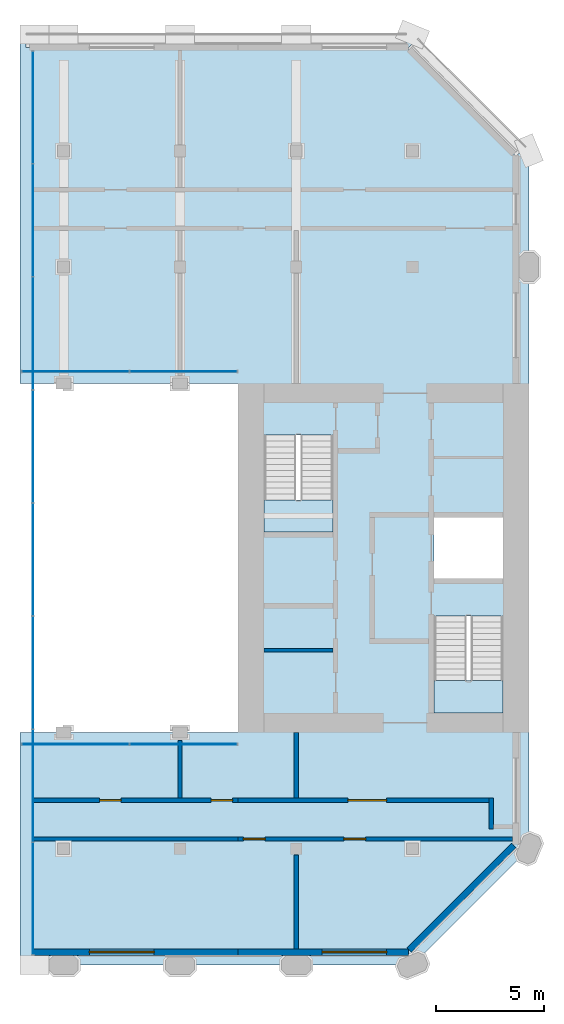
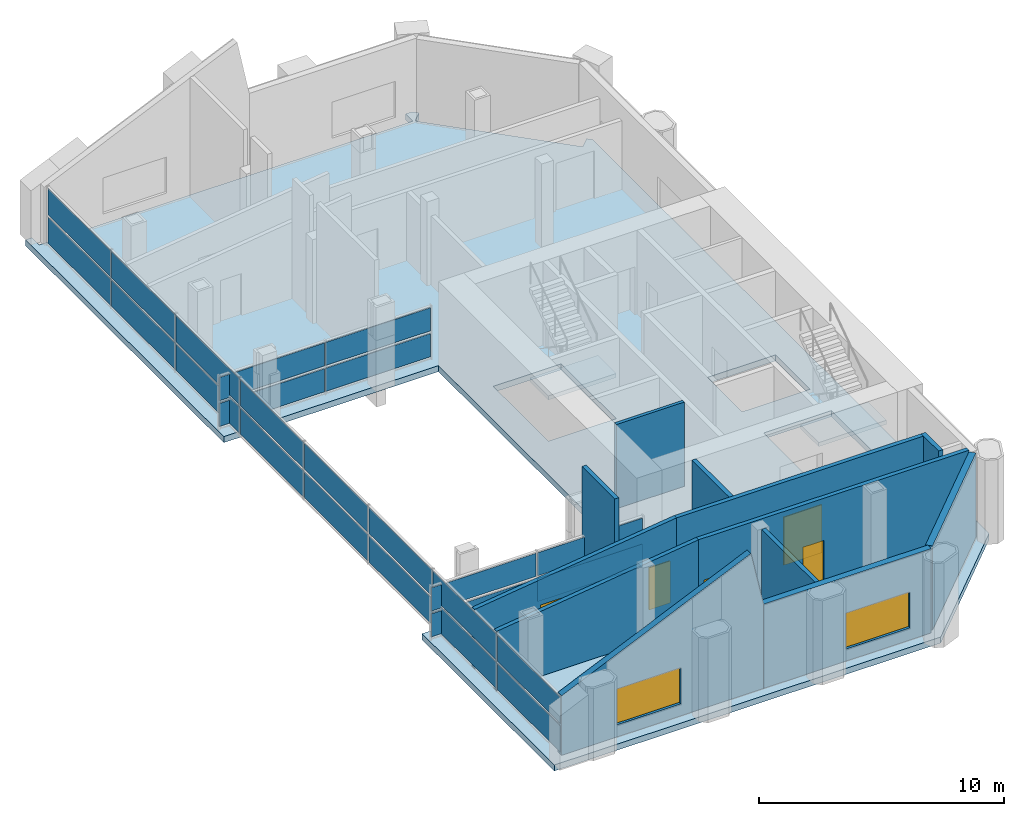
# One storey, part 4 of 8: 24 plates, 12 walls, 5 doors, 3 slabs, 2 windows, 7 openings, 5 elements without a shape of their own.
"""IFC4 building model written with IfcOpenShell, lengths in metres."""

from ifc_helpers import new_model, si_unit, direction, frame, frame_2d, origin, origin_2d, place, context, subcontext, project, spatial, polyline, rectangle, outline, extrude, material, layer, layer_set, type_object, element, fill, aggregate, save


model = new_model("IFC4")

# Units and contexts
model_context = context("Model", 3, precision=1e-05, world=origin(), true_north=direction((0.0, 1.0)))
body_context = subcontext(model_context, "Body", "Model", "MODEL_VIEW")
ifc_project = project(units=[si_unit("LENGTHUNIT", "METRE"), si_unit("AREAUNIT", "SQUARE_METRE"), si_unit("VOLUMEUNIT", "CUBIC_METRE"), si_unit("PLANEANGLEUNIT", "RADIAN"), si_unit("MASSUNIT", "GRAM", prefix="KILO")], contexts=[model_context])

# Site, building, storey
site_placement = place(None, origin())
site = spatial("IfcSite", under=ifc_project, at=site_placement, CompositionType="ELEMENT")
building_placement = place(site_placement, origin())
building = spatial("IfcBuilding", under=site, at=building_placement, Name="Tabaq Tower and Sports Hall", CompositionType="ELEMENT")
storey_placement = place(building_placement, frame((0.0, 0.0, 330.699951171875)))
storey = spatial("IfcBuildingStorey", under=building, at=storey_placement, Name="L82", CompositionType="ELEMENT", Elevation=330.699951171875)

# Curtain wall, plates
ifc_material_1 = material(Name="Aluminium alloy 6063-T6 framed glazing", Category="aluminium")
curtain_wall_type_1 = type_object("IfcCurtainWallType", Name="CW1 curtain wall", PredefinedType="USERDEFINED", material=ifc_material_1)
curtain_wall_1_placement = place(storey_placement, origin())
curtain_wall_1 = element("IfcCurtainWall", 1, at=curtain_wall_1_placement, inside=storey, type_object=curtain_wall_type_1, Name="Atrium glazing L82 S", ObjectType="ATRIUM ENCLOSURE", PredefinedType="USERDEFINED")
ifc_material_2 = material(Name="Clear low-emissivity glass 28 mm", Category="glass")
ifc_layer_1 = layer(ifc_material_2, 0.028076171875)
ifc_layer_set_1 = layer_set([ifc_layer_1], Name="CW1 glass panel 28")
plate_type_1 = type_object("IfcPlateType", Name="CW1 glass panel 28", PredefinedType="CURTAIN_PANEL", material=ifc_layer_set_1)
plate_1_placement = place(storey_placement, frame((22.15869140625, 15.64990234375, 0.14013671875), z_axis=(0.0, 0.0, 1.0), x_axis=(1.0, 0.0, 0.0)))
plate_1 = element("IfcPlate", 2, at=plate_1_placement, type_object=plate_type_1, Name="CW1 panel 1.1", PredefinedType="CURTAIN_PANEL", context=body_context, shape_type="SweptSolid", body=[
    extrude(rectangle(XDim=4.947509765625, YDim=0.028076171875, at=origin_2d()), origin(), (0.0, 0.0, 1.0), 1.151123046875),
])
plate_2_placement = place(storey_placement, frame((22.15869140625, 15.64990234375, 1.43115234375), z_axis=(0.0, 0.0, 1.0), x_axis=(1.0, 0.0, 0.0)))
plate_2 = element("IfcPlate", 3, at=plate_2_placement, type_object=plate_type_1, Name="CW1 panel 1.2", PredefinedType="CURTAIN_PANEL", context=body_context, shape_type="SweptSolid", body=[
    extrude(rectangle(XDim=4.947509765625, YDim=0.028076171875, at=origin_2d()), origin(), (0.0, 0.0, 1.0), 1.151123046875),
])
plate_3_placement = place(storey_placement, frame((27.166259765625, 15.64990234375, 0.14013671875), z_axis=(0.0, 0.0, 1.0), x_axis=(1.0, 0.0, 0.0)))
plate_3 = element("IfcPlate", 4, at=plate_3_placement, type_object=plate_type_1, Name="CW1 panel 2.1", PredefinedType="CURTAIN_PANEL", context=body_context, shape_type="SweptSolid", body=[
    extrude(rectangle(XDim=4.947509765625, YDim=0.028076171875, at=origin_2d()), origin(), (0.0, 0.0, 1.0), 1.151123046875),
])
plate_4_placement = place(storey_placement, frame((27.166259765625, 15.64990234375, 1.43115234375), z_axis=(0.0, 0.0, 1.0), x_axis=(1.0, 0.0, 0.0)))
plate_4 = element("IfcPlate", 5, at=plate_4_placement, type_object=plate_type_1, Name="CW1 panel 2.2", PredefinedType="CURTAIN_PANEL", context=body_context, shape_type="SweptSolid", body=[
    extrude(rectangle(XDim=4.947509765625, YDim=0.028076171875, at=origin_2d()), origin(), (0.0, 0.0, 1.0), 1.151123046875),
])
aggregate(curtain_wall_1, [plate_1, plate_2, plate_3, plate_4])

curtain_wall_2_placement = place(storey_placement, origin())
curtain_wall_2 = element("IfcCurtainWall", 6, at=curtain_wall_2_placement, inside=storey, type_object=curtain_wall_type_1, Name="Atrium glazing L82 N", ObjectType="ATRIUM ENCLOSURE", PredefinedType="USERDEFINED")
plate_5_placement = place(storey_placement, frame((22.15869140625, 32.949951171875, 0.14013671875), z_axis=(0.0, 0.0, 1.0), x_axis=(1.0, 0.0, 0.0)))
plate_5 = element("IfcPlate", 7, at=plate_5_placement, type_object=plate_type_1, Name="CW1 panel 1.1", PredefinedType="CURTAIN_PANEL", context=body_context, shape_type="SweptSolid", body=[
    extrude(rectangle(XDim=4.947509765625, YDim=0.028076171875, at=origin_2d()), origin(), (0.0, 0.0, 1.0), 1.151123046875),
])
plate_6_placement = place(storey_placement, frame((22.15869140625, 32.949951171875, 1.43115234375), z_axis=(0.0, 0.0, 1.0), x_axis=(1.0, 0.0, 0.0)))
plate_6 = element("IfcPlate", 8, at=plate_6_placement, type_object=plate_type_1, Name="CW1 panel 1.2", PredefinedType="CURTAIN_PANEL", context=body_context, shape_type="SweptSolid", body=[
    extrude(rectangle(XDim=4.947509765625, YDim=0.028076171875, at=origin_2d()), origin(), (0.0, 0.0, 1.0), 1.151123046875),
])
plate_7_placement = place(storey_placement, frame((27.166259765625, 32.949951171875, 0.14013671875), z_axis=(0.0, 0.0, 1.0), x_axis=(1.0, 0.0, 0.0)))
plate_7 = element("IfcPlate", 9, at=plate_7_placement, type_object=plate_type_1, Name="CW1 panel 2.1", PredefinedType="CURTAIN_PANEL", context=body_context, shape_type="SweptSolid", body=[
    extrude(rectangle(XDim=4.947509765625, YDim=0.028076171875, at=origin_2d()), origin(), (0.0, 0.0, 1.0), 1.151123046875),
])
plate_8_placement = place(storey_placement, frame((27.166259765625, 32.949951171875, 1.43115234375), z_axis=(0.0, 0.0, 1.0), x_axis=(1.0, 0.0, 0.0)))
plate_8 = element("IfcPlate", 10, at=plate_8_placement, type_object=plate_type_1, Name="CW1 panel 2.2", PredefinedType="CURTAIN_PANEL", context=body_context, shape_type="SweptSolid", body=[
    extrude(rectangle(XDim=4.947509765625, YDim=0.028076171875, at=origin_2d()), origin(), (0.0, 0.0, 1.0), 1.151123046875),
])
aggregate(curtain_wall_2, [plate_5, plate_6, plate_7, plate_8])

ifc_material_3 = material(Name="Aluminium alloy 6063-T6 framed glazing", Category="aluminium")
curtain_wall_type_2 = type_object("IfcCurtainWallType", Name="CW5 curtain wall", PredefinedType="USERDEFINED", material=ifc_material_3)
curtain_wall_3_placement = place(storey_placement, origin())
curtain_wall_3 = element("IfcCurtainWall", 11, at=curtain_wall_3_placement, inside=storey, type_object=curtain_wall_type_2, Name="Crown riser glazing L82", ObjectType="CROWN GLAZING", PredefinedType="USERDEFINED")
ifc_material_4 = material(Name="Clear low-emissivity glass 28 mm", Category="glass")
ifc_layer_2 = layer(ifc_material_4, 0.028076171875)
ifc_layer_set_2 = layer_set([ifc_layer_2], Name="CW5 glass panel 28")
plate_type_2 = type_object("IfcPlateType", Name="CW5 glass panel 28", PredefinedType="CURTAIN_PANEL", material=ifc_layer_set_2)
plate_9_placement = place(storey_placement, frame((20.175048828125, 45.2099609375, 0.1201171875), z_axis=(0.0, 0.0, 1.0), x_axis=(0.0, -1.0, 0.0)))
plate_9 = element("IfcPlate", 12, at=plate_9_placement, type_object=plate_type_2, Name="CW5 panel 1.1", PredefinedType="CURTAIN_PANEL", context=body_context, shape_type="SweptSolid", body=[
    extrude(rectangle(XDim=5.159912109375, YDim=0.028076171875, at=origin_2d()), origin(), (0.0, 0.0, 1.0), 1.30322265625),
])
plate_10_placement = place(storey_placement, frame((20.175048828125, 45.2099609375, 1.54345703125), z_axis=(0.0, 0.0, 1.0), x_axis=(0.0, -1.0, 0.0)))
plate_10 = element("IfcPlate", 13, at=plate_10_placement, type_object=plate_type_2, Name="CW5 panel 1.2", PredefinedType="CURTAIN_PANEL", context=body_context, shape_type="SweptSolid", body=[
    extrude(rectangle(XDim=5.159912109375, YDim=0.028076171875, at=origin_2d()), origin(), (0.0, 0.0, 1.0), 1.30322265625),
])
plate_11_placement = place(storey_placement, frame((20.175048828125, 39.97509765625, 0.1201171875), z_axis=(0.0, 0.0, 1.0), x_axis=(0.0, -1.0, 0.0)))
plate_11 = element("IfcPlate", 14, at=plate_11_placement, type_object=plate_type_2, Name="CW5 panel 2.1", PredefinedType="CURTAIN_PANEL", context=body_context, shape_type="SweptSolid", body=[
    extrude(rectangle(XDim=5.18994140625, YDim=0.028076171875, at=origin_2d()), origin(), (0.0, 0.0, 1.0), 1.30322265625),
])
plate_12_placement = place(storey_placement, frame((20.175048828125, 39.97509765625, 1.54345703125), z_axis=(0.0, 0.0, 1.0), x_axis=(0.0, -1.0, 0.0)))
plate_12 = element("IfcPlate", 15, at=plate_12_placement, type_object=plate_type_2, Name="CW5 panel 2.2", PredefinedType="CURTAIN_PANEL", context=body_context, shape_type="SweptSolid", body=[
    extrude(rectangle(XDim=5.18994140625, YDim=0.028076171875, at=origin_2d()), origin(), (0.0, 0.0, 1.0), 1.30322265625),
])
plate_13_placement = place(storey_placement, frame((20.175048828125, 34.72509765625, 0.1201171875), z_axis=(0.0, 0.0, 1.0), x_axis=(0.0, -1.0, 0.0)))
plate_13 = element("IfcPlate", 16, at=plate_13_placement, type_object=plate_type_2, Name="CW5 panel 3.1", PredefinedType="CURTAIN_PANEL", context=body_context, shape_type="SweptSolid", body=[
    extrude(rectangle(XDim=5.18994140625, YDim=0.028076171875, at=origin_2d()), origin(), (0.0, 0.0, 1.0), 1.30322265625),
])
plate_14_placement = place(storey_placement, frame((20.175048828125, 34.72509765625, 1.54345703125), z_axis=(0.0, 0.0, 1.0), x_axis=(0.0, -1.0, 0.0)))
plate_14 = element("IfcPlate", 17, at=plate_14_placement, type_object=plate_type_2, Name="CW5 panel 3.2", PredefinedType="CURTAIN_PANEL", context=body_context, shape_type="SweptSolid", body=[
    extrude(rectangle(XDim=5.18994140625, YDim=0.028076171875, at=origin_2d()), origin(), (0.0, 0.0, 1.0), 1.30322265625),
])
plate_15_placement = place(storey_placement, frame((20.175048828125, 29.47509765625, 0.1201171875), z_axis=(0.0, 0.0, 1.0), x_axis=(0.0, -1.0, 0.0)))
plate_15 = element("IfcPlate", 18, at=plate_15_placement, type_object=plate_type_2, Name="CW5 panel 4.1", PredefinedType="CURTAIN_PANEL", context=body_context, shape_type="SweptSolid", body=[
    extrude(rectangle(XDim=5.18994140625, YDim=0.028076171875, at=origin_2d()), origin(), (0.0, 0.0, 1.0), 1.30322265625),
])
plate_16_placement = place(storey_placement, frame((20.175048828125, 29.47509765625, 1.54345703125), z_axis=(0.0, 0.0, 1.0), x_axis=(0.0, -1.0, 0.0)))
plate_16 = element("IfcPlate", 19, at=plate_16_placement, type_object=plate_type_2, Name="CW5 panel 4.2", PredefinedType="CURTAIN_PANEL", context=body_context, shape_type="SweptSolid", body=[
    extrude(rectangle(XDim=5.18994140625, YDim=0.028076171875, at=origin_2d()), origin(), (0.0, 0.0, 1.0), 1.30322265625),
])
plate_17_placement = place(storey_placement, frame((20.175048828125, 24.22509765625, 0.1201171875), z_axis=(0.0, 0.0, 1.0), x_axis=(0.0, -1.0, 0.0)))
plate_17 = element("IfcPlate", 20, at=plate_17_placement, type_object=plate_type_2, Name="CW5 panel 5.1", PredefinedType="CURTAIN_PANEL", context=body_context, shape_type="SweptSolid", body=[
    extrude(rectangle(XDim=5.18994140625, YDim=0.028076171875, at=origin_2d()), origin(), (0.0, 0.0, 1.0), 1.30322265625),
])
plate_18_placement = place(storey_placement, frame((20.175048828125, 24.22509765625, 1.54345703125), z_axis=(0.0, 0.0, 1.0), x_axis=(0.0, -1.0, 0.0)))
plate_18 = element("IfcPlate", 21, at=plate_18_placement, type_object=plate_type_2, Name="CW5 panel 5.2", PredefinedType="CURTAIN_PANEL", context=body_context, shape_type="SweptSolid", body=[
    extrude(rectangle(XDim=5.18994140625, YDim=0.028076171875, at=origin_2d()), origin(), (0.0, 0.0, 1.0), 1.30322265625),
])
plate_19_placement = place(storey_placement, frame((20.175048828125, 18.97509765625, 0.1201171875), z_axis=(0.0, 0.0, 1.0), x_axis=(0.0, -1.0, 0.0)))
plate_19 = element("IfcPlate", 22, at=plate_19_placement, type_object=plate_type_2, Name="CW5 panel 6.1", PredefinedType="CURTAIN_PANEL", context=body_context, shape_type="SweptSolid", body=[
    extrude(rectangle(XDim=5.18994140625, YDim=0.028076171875, at=origin_2d()), origin(), (0.0, 0.0, 1.0), 1.30322265625),
])
plate_20_placement = place(storey_placement, frame((20.175048828125, 18.97509765625, 1.54345703125), z_axis=(0.0, 0.0, 1.0), x_axis=(0.0, -1.0, 0.0)))
plate_20 = element("IfcPlate", 23, at=plate_20_placement, type_object=plate_type_2, Name="CW5 panel 6.2", PredefinedType="CURTAIN_PANEL", context=body_context, shape_type="SweptSolid", body=[
    extrude(rectangle(XDim=5.18994140625, YDim=0.028076171875, at=origin_2d()), origin(), (0.0, 0.0, 1.0), 1.30322265625),
])
plate_21_placement = place(storey_placement, frame((20.175048828125, 13.72509765625, 0.1201171875), z_axis=(0.0, 0.0, 1.0), x_axis=(0.0, -1.0, 0.0)))
plate_21 = element("IfcPlate", 24, at=plate_21_placement, type_object=plate_type_2, Name="CW5 panel 7.1", PredefinedType="CURTAIN_PANEL", context=body_context, shape_type="SweptSolid", body=[
    extrude(rectangle(XDim=5.18994140625, YDim=0.028076171875, at=origin_2d()), origin(), (0.0, 0.0, 1.0), 1.30322265625),
])
plate_22_placement = place(storey_placement, frame((20.175048828125, 13.72509765625, 1.54345703125), z_axis=(0.0, 0.0, 1.0), x_axis=(0.0, -1.0, 0.0)))
plate_22 = element("IfcPlate", 25, at=plate_22_placement, type_object=plate_type_2, Name="CW5 panel 7.2", PredefinedType="CURTAIN_PANEL", context=body_context, shape_type="SweptSolid", body=[
    extrude(rectangle(XDim=5.18994140625, YDim=0.028076171875, at=origin_2d()), origin(), (0.0, 0.0, 1.0), 1.30322265625),
])
plate_23_placement = place(storey_placement, frame((20.175048828125, 8.489990234375, 0.1201171875), z_axis=(0.0, 0.0, 1.0), x_axis=(0.0, -1.0, 0.0)))
plate_23 = element("IfcPlate", 26, at=plate_23_placement, type_object=plate_type_2, Name="CW5 panel 8.1", PredefinedType="CURTAIN_PANEL", context=body_context, shape_type="SweptSolid", body=[
    extrude(rectangle(XDim=5.159912109375, YDim=0.028076171875, at=origin_2d()), origin(), (0.0, 0.0, 1.0), 1.30322265625),
])
plate_24_placement = place(storey_placement, frame((20.175048828125, 8.489990234375, 1.54345703125), z_axis=(0.0, 0.0, 1.0), x_axis=(0.0, -1.0, 0.0)))
plate_24 = element("IfcPlate", 27, at=plate_24_placement, type_object=plate_type_2, Name="CW5 panel 8.2", PredefinedType="CURTAIN_PANEL", context=body_context, shape_type="SweptSolid", body=[
    extrude(rectangle(XDim=5.159912109375, YDim=0.028076171875, at=origin_2d()), origin(), (0.0, 0.0, 1.0), 1.30322265625),
])
aggregate(curtain_wall_3, [plate_9, plate_10, plate_11, plate_12, plate_13, plate_14, plate_15, plate_16, plate_17, plate_18, plate_19, plate_20, plate_21, plate_22, plate_23, plate_24])

# Stair, slab
ifc_material_5 = material(Name="Concrete C40/50", Category="concrete")
stair_type = type_object("IfcStairType", Name="Exit stair", PredefinedType="HALF_TURN_STAIR", material=ifc_material_5)
stair_1_placement = place(storey_placement, origin())
stair_1 = element("IfcStair", 28, at=stair_1_placement, inside=storey, type_object=stair_type, Name="L82 Exit stair ST3", PredefinedType="HALF_TURN_STAIR")
ifc_material_6 = material(Name="Concrete C40/50", Category="concrete")
ifc_layer_3 = layer(ifc_material_6, 0.199951171875)
ifc_layer_set_3 = layer_set([ifc_layer_3], Name="Exit stair landing")
slab_type_1 = type_object("IfcSlabType", Name="Exit stair landing", PredefinedType="LANDING", material=ifc_layer_set_3)
slab_1_placement = place(storey_placement, frame((0.0, 0.0, 2.050048828125)))
slab_1 = element("IfcSlab", 29, at=slab_1_placement, type_object=slab_type_1, Name="ST3 landing 1", PredefinedType="LANDING", context=body_context, shape_type="SweptSolid", body=[
    extrude(outline(polyline([(38.800048828125, 18.60009765625), (38.800048828125, 17.10009765625), (42.0, 17.10009765625), (42.0, 18.60009765625), (38.800048828125, 18.60009765625)])), origin(), (0.0, 0.0, 1.0), 0.199951171875),
])
aggregate(stair_1, [slab_1])

stair_2_placement = place(storey_placement, origin())
stair_2 = element("IfcStair", 30, at=stair_2_placement, inside=storey, type_object=stair_type, Name="L82 Exit stair ST4", PredefinedType="HALF_TURN_STAIR")
slab_2_placement = place(storey_placement, frame((0.0, 0.0, 2.050048828125)))
slab_2 = element("IfcSlab", 31, at=slab_2_placement, type_object=slab_type_1, Name="ST4 landing 1", PredefinedType="LANDING", context=body_context, shape_type="SweptSolid", body=[
    extrude(outline(polyline([(30.89990234375, 27.0), (30.89990234375, 25.5), (34.10009765625, 25.5), (34.10009765625, 27.0), (30.89990234375, 27.0)])), origin(), (0.0, 0.0, 1.0), 0.199951171875),
])
aggregate(stair_2, [slab_2])

# Slab
ifc_material_7 = material(Name="Concrete C40/50", Category="concrete")
ifc_layer_4 = layer(ifc_material_7, 0.300048828125)
ifc_layer_set_4 = layer_set([ifc_layer_4], Name="PT FLOOR SLAB 300 C40/50")
slab_type_2 = type_object("IfcSlabType", Name="PT FLOOR SLAB 300 C40/50", PredefinedType="FLOOR", material=ifc_layer_set_4)
slab_3_placement = place(storey_placement, frame((0.0, 0.0, -0.300048828125)))
element("IfcSlab", 32, at=slab_3_placement, inside=storey, type_object=slab_type_2, Name="Floor Slab L82", PredefinedType="FLOOR", context=body_context, shape_type="SweptSolid", body=[
    extrude(outline(polyline([(19.864990234375, 48.60009765625), (19.574951171875, 48.60009765625), (19.574951171875, 32.39990234375), (29.699951171875, 32.39990234375), (29.699951171875, 16.199951171875), (19.574951171875, 16.199951171875), (19.574951171875, 5.39990234375), (37.800048828125, 5.39990234375), (43.199951171875, 10.800048828125), (43.199951171875, 43.199951171875), (43.023193359375, 43.376708984375), (42.669677734375, 43.023193359375), (42.598876953125, 42.952392578125), (37.5869140625, 47.964599609375), (37.657470703125, 48.035400390625), (38.010986328125, 48.388916015625), (37.800048828125, 48.60009765625), (37.50146484375, 48.60009765625), (37.50146484375, 48.10009765625), (37.50146484375, 48.0), (19.864990234375, 48.0), (19.864990234375, 48.10009765625), (19.864990234375, 48.60009765625)]), holes=[polyline([(38.800048828125, 17.10009765625), (38.800048828125, 21.599365234375), (42.0, 21.599365234375), (42.0, 17.10009765625), (38.800048828125, 17.10009765625)]), polyline([(38.800048828125, 23.35009765625), (38.800048828125, 26.175048828125), (42.0, 26.175048828125), (42.0, 23.35009765625), (38.800048828125, 23.35009765625)]), polyline([(30.89990234375, 25.5), (30.89990234375, 29.99951171875), (34.10009765625, 29.99951171875), (34.10009765625, 25.5), (30.89990234375, 25.5)])]), origin(), (0.0, 0.0, 1.0), 0.300048828125),
])

# Walls
ifc_material_8 = material(Name="Blockwork", Category="masonry")
ifc_layer_5 = layer(ifc_material_8, 0.14990234375)
ifc_layer_set_5 = layer_set([ifc_layer_5], Name="Core room partition 150 Blockwork")
wall_type_1 = type_object("IfcWallType", Name="Core room partition 150 Blockwork", PredefinedType="PARTITIONING", material=ifc_layer_set_5)
wall_1_placement = place(storey_placement, frame((30.89990234375, 20.010009765625, 0.0), z_axis=(0.0, 0.0, 1.0), x_axis=(1.0, 0.0, 0.0)))
element("IfcWall", 33, at=wall_1_placement, inside=storey, type_object=wall_type_1, Name="Core room partition E L82", PredefinedType="PARTITIONING", context=body_context, shape_type="SweptSolid", body=[
    extrude(rectangle(XDim=3.2001953125, YDim=0.14990234375, at=frame_2d((1.60009765625, 0.0))), origin(), (0.0, 0.0, 1.0), 4.199951171875),
])
ifc_material_9 = material(Name="Blockwork", Category="masonry")
ifc_layer_6 = layer(ifc_material_9, 0.199951171875)
ifc_layer_set_6 = layer_set([ifc_layer_6], Name="Fire compartment wall 200 Blockwork")
wall_type_2 = type_object("IfcWallType", Name="Fire compartment wall 200 Blockwork", PredefinedType="PARTITIONING", material=ifc_layer_set_6)
wall_2_placement = place(storey_placement, frame((32.39990234375, 10.5048828125, 0.0), z_axis=(0.0, 0.0, 1.0), x_axis=(0.0, -1.0, 0.0)))
element("IfcWall", 34, at=wall_2_placement, inside=storey, type_object=wall_type_2, Name="Compartment wall L82", PredefinedType="PARTITIONING", context=body_context, shape_type="SweptSolid", body=[
    extrude(rectangle(XDim=4.35400390625, YDim=0.199951171875, at=frame_2d((2.177001953125, 0.0))), origin(), (0.0, 0.0, 1.0), 4.199951171875),
])

# Wall, openings, doors
wall_3_placement = place(storey_placement, frame((42.448974609375, 11.25, 0.0), z_axis=(0.0, 0.0, 1.0), x_axis=(-1.0, 0.0, 0.0)))
wall_3 = element("IfcWall", 35, at=wall_3_placement, inside=storey, type_object=wall_type_2, Name="Compartment wall L82", PredefinedType="PARTITIONING", context=body_context, shape_type="SweptSolid", body=[
    extrude(rectangle(XDim=12.7490234375, YDim=0.199951171875, at=frame_2d((6.37451171875, 0.0))), origin(), (0.0, 0.0, 1.0), 4.199951171875),
])
opening_1_placement = place(wall_3_placement, frame((6.83203125, 0.0, 0.0)))
opening_1 = element("IfcOpeningElement", 36, at=opening_1_placement, cuts=wall_3, Name="Opening L82-005", PredefinedType="OPENING", context=body_context, shape_type="SweptSolid", body=[
    extrude(rectangle(XDim=1.0, YDim=2.10009765625, at=frame_2d((0.5, 1.050048828125))), frame((0.0, 0.10009765625, 0.0), z_axis=(0.0, -1.0, 0.0), x_axis=(1.0, 0.0, 0.0)), (0.0, 0.0, 1.0), 0.199951171875),
])
opening_2_placement = place(wall_3_placement, frame((11.4990234375, 0.0, 0.0)))
opening_2 = element("IfcOpeningElement", 37, at=opening_2_placement, cuts=wall_3, Name="Opening L82-006", PredefinedType="OPENING", context=body_context, shape_type="SweptSolid", body=[
    extrude(rectangle(XDim=1.0, YDim=2.10009765625, at=frame_2d((0.5, 1.050048828125))), frame((0.0, 0.10009765625, 0.0), z_axis=(0.0, -1.0, 0.0), x_axis=(1.0, 0.0, 0.0)), (0.0, 0.0, 1.0), 0.199951171875),
])
ifc_material_10 = material(Name="Steel fire door", Category="steel")
door_type_1 = type_object("IfcDoorType", Name="Plant room door 1000 left hand", OperationType="SINGLE_SWING_LEFT", PredefinedType="DOOR", material=ifc_material_10)
door_1_placement = place(opening_2_placement, origin())
door_1 = element("IfcDoor", 38, at=door_1_placement, inside=storey, type_object=door_type_1, Name="Plant room door L82-006", OperationType="SINGLE_SWING_LEFT", OverallHeight=2.10009765625, OverallWidth=1.0, PredefinedType="DOOR", context=body_context, shape_type="SweptSolid", body=[
    extrude(rectangle(XDim=1.0, YDim=2.10009765625, at=frame_2d((0.5, 1.050048828125))), frame((0.0, 0.02490234375, 0.0), z_axis=(0.0, -1.0, 0.0), x_axis=(1.0, 0.0, 0.0)), (0.0, 0.0, 1.0), 0.050048828125),
])
fill(opening_2, door_1)
ifc_material_11 = material(Name="Steel fire door", Category="steel")
door_type_2 = type_object("IfcDoorType", Name="Plant room door 1000 right hand", OperationType="SINGLE_SWING_RIGHT", PredefinedType="DOOR", material=ifc_material_11)
door_2_placement = place(opening_1_placement, origin())
door_2 = element("IfcDoor", 39, at=door_2_placement, inside=storey, type_object=door_type_2, Name="Plant room door L82-005", OperationType="SINGLE_SWING_RIGHT", OverallHeight=2.10009765625, OverallWidth=1.0, PredefinedType="DOOR", context=body_context, shape_type="SweptSolid", body=[
    extrude(rectangle(XDim=1.0, YDim=2.10009765625, at=frame_2d((0.5, 1.050048828125))), frame((0.0, 0.02490234375, 0.0), z_axis=(0.0, -1.0, 0.0), x_axis=(1.0, 0.0, 0.0)), (0.0, 0.0, 1.0), 0.050048828125),
])
fill(opening_1, door_2)

# Walls
wall_4_placement = place(storey_placement, frame((29.699951171875, 11.25, 0.0), z_axis=(0.0, 0.0, 1.0), x_axis=(-1.0, 0.0, 0.0)))
element("IfcWall", 40, at=wall_4_placement, inside=storey, type_object=wall_type_2, Name="Compartment wall L82", PredefinedType="PARTITIONING", context=body_context, shape_type="SweptSolid", body=[
    extrude(outline(polyline([(0.0, 0.0), (9.52490234375, 0.0), (9.52490234375, 2.966796875), (0.0, 4.199951171875), (0.0, 0.0)])), frame((0.0, 0.10009765625, 0.0), z_axis=(0.0, -1.0, 0.0), x_axis=(1.0, 0.0, 0.0)), (0.0, 0.0, 1.0), 0.199951171875),
])
wall_5_placement = place(storey_placement, frame((27.0, 15.830078125, 0.0), z_axis=(0.0, 0.0, 1.0), x_axis=(0.0, -1.0, 0.0)))
element("IfcWall", 41, at=wall_5_placement, inside=storey, type_object=wall_type_2, Name="Compartment wall L82", PredefinedType="PARTITIONING", context=body_context, shape_type="SweptSolid", body=[
    extrude(rectangle(XDim=2.68017578125, YDim=0.199951171875, at=frame_2d((1.340087890625, 0.0))), origin(), (0.0, 0.0, 1.0), 6.0),
])
wall_6_placement = place(storey_placement, frame((32.39990234375, 13.14990234375, 0.0), z_axis=(0.0, 0.0, 1.0), x_axis=(0.0, 1.0, 0.0)))
element("IfcWall", 42, at=wall_6_placement, inside=storey, type_object=wall_type_2, Name="Compartment wall L82", PredefinedType="PARTITIONING", context=body_context, shape_type="SweptSolid", body=[
    extrude(rectangle(XDim=3.050048828125, YDim=0.199951171875, at=frame_2d((1.52490234375, 0.0))), origin(), (0.0, 0.0, 1.0), 4.199951171875),
])

# Wall, openings, doors
wall_7_placement = place(storey_placement, frame((20.175048828125, 13.050048828125, 0.0), z_axis=(0.0, 0.0, 1.0), x_axis=(1.0, 0.0, 0.0)))
wall_7 = element("IfcWall", 43, at=wall_7_placement, inside=storey, type_object=wall_type_2, Name="Compartment wall L82", PredefinedType="PARTITIONING", context=body_context, shape_type="SweptSolid", body=[
    extrude(outline(polyline([(0.0, 0.0), (9.52490234375, 0.0), (9.52490234375, 4.199951171875), (0.0, 2.966796875), (0.0, 0.0)])), frame((0.0, 0.10009765625, 0.0), z_axis=(0.0, -1.0, 0.0), x_axis=(1.0, 0.0, 0.0)), (0.0, 0.0, 1.0), 0.199951171875),
])
opening_3_placement = place(wall_7_placement, frame((8.27490234375, 0.0, 0.0)))
opening_3 = element("IfcOpeningElement", 44, at=opening_3_placement, cuts=wall_7, Name="Opening L82-007", PredefinedType="OPENING", context=body_context, shape_type="SweptSolid", body=[
    extrude(rectangle(XDim=1.0, YDim=2.10009765625, at=frame_2d((0.5, 1.050048828125))), frame((0.0, 0.10009765625, 0.0), z_axis=(0.0, -1.0, 0.0), x_axis=(1.0, 0.0, 0.0)), (0.0, 0.0, 1.0), 0.199951171875),
])
opening_4_placement = place(wall_7_placement, frame((3.097900390625, 0.0, 0.0)))
opening_4 = element("IfcOpeningElement", 45, at=opening_4_placement, cuts=wall_7, Name="Opening L82-008", PredefinedType="OPENING", context=body_context, shape_type="SweptSolid", body=[
    extrude(rectangle(XDim=1.0, YDim=2.10009765625, at=frame_2d((0.5, 1.050048828125))), frame((0.0, 0.10009765625, 0.0), z_axis=(0.0, -1.0, 0.0), x_axis=(1.0, 0.0, 0.0)), (0.0, 0.0, 1.0), 0.199951171875),
])
door_3_placement = place(opening_4_placement, origin())
door_3 = element("IfcDoor", 46, at=door_3_placement, inside=storey, type_object=door_type_1, Name="Plant room door L82-008", OperationType="SINGLE_SWING_LEFT", OverallHeight=2.10009765625, OverallWidth=1.0, PredefinedType="DOOR", context=body_context, shape_type="SweptSolid", body=[
    extrude(rectangle(XDim=1.0, YDim=2.10009765625, at=frame_2d((0.5, 1.050048828125))), frame((0.0, 0.02490234375, 0.0), z_axis=(0.0, -1.0, 0.0), x_axis=(1.0, 0.0, 0.0)), (0.0, 0.0, 1.0), 0.050048828125),
])
fill(opening_4, door_3)
ifc_material_12 = material(Name="Steel fire door", Category="steel")
door_type_3 = type_object("IfcDoorType", Name="Riser door 1000 right hand", OperationType="SINGLE_SWING_RIGHT", PredefinedType="DOOR", material=ifc_material_12)
door_4_placement = place(opening_3_placement, origin())
door_4 = element("IfcDoor", 47, at=door_4_placement, inside=storey, type_object=door_type_3, Name="Riser door L82-007", OperationType="SINGLE_SWING_RIGHT", OverallHeight=2.10009765625, OverallWidth=1.0, PredefinedType="DOOR", context=body_context, shape_type="SweptSolid", body=[
    extrude(rectangle(XDim=1.0, YDim=2.10009765625, at=frame_2d((0.5, 1.050048828125))), frame((0.0, 0.02490234375, 0.0), z_axis=(0.0, -1.0, 0.0), x_axis=(1.0, 0.0, 0.0)), (0.0, 0.0, 1.0), 0.050048828125),
])
fill(opening_3, door_4)

# Wall, opening, door
wall_8_placement = place(storey_placement, frame((29.699951171875, 13.050048828125, 0.0), z_axis=(0.0, 0.0, 1.0), x_axis=(1.0, 0.0, 0.0)))
wall_8 = element("IfcWall", 48, at=wall_8_placement, inside=storey, type_object=wall_type_2, Name="Compartment wall L82", PredefinedType="PARTITIONING", context=body_context, shape_type="SweptSolid", body=[
    extrude(rectangle(XDim=11.649169921875, YDim=0.199951171875, at=frame_2d((5.82470703125, 0.0))), origin(), (0.0, 0.0, 1.0), 4.199951171875),
])
opening_5_placement = place(wall_8_placement, frame((5.10009765625, 0.0, 0.0)))
opening_5 = element("IfcOpeningElement", 49, at=opening_5_placement, cuts=wall_8, Name="Opening L82-010", PredefinedType="OPENING", context=body_context, shape_type="SweptSolid", body=[
    extrude(rectangle(XDim=1.800048828125, YDim=2.39990234375, at=frame_2d((0.89990234375, 1.199951171875))), frame((0.0, 0.10009765625, 0.0), z_axis=(0.0, -1.0, 0.0), x_axis=(1.0, 0.0, 0.0)), (0.0, 0.0, 1.0), 0.199951171875),
])
ifc_material_13 = material(Name="Steel fire door", Category="steel")
door_type_4 = type_object("IfcDoorType", Name="Plant room door 1800", OperationType="DOUBLE_DOOR_SINGLE_SWING", PredefinedType="DOOR", material=ifc_material_13)
door_5_placement = place(opening_5_placement, origin())
door_5 = element("IfcDoor", 50, at=door_5_placement, inside=storey, type_object=door_type_4, Name="Plant room door L82-010", OperationType="DOUBLE_DOOR_SINGLE_SWING", OverallHeight=2.39990234375, OverallWidth=1.800048828125, PredefinedType="DOOR", context=body_context, shape_type="SweptSolid", body=[
    extrude(rectangle(XDim=1.800048828125, YDim=2.39990234375, at=frame_2d((0.89990234375, 1.199951171875))), frame((0.0, 0.02490234375, 0.0), z_axis=(0.0, -1.0, 0.0), x_axis=(1.0, 0.0, 0.0)), (0.0, 0.0, 1.0), 0.050048828125),
])
fill(opening_5, door_5)

# Wall
wall_9_placement = place(storey_placement, frame((41.448974609375, 13.14990234375, 0.0), z_axis=(0.0, 0.0, 1.0), x_axis=(0.00085543168, -0.999999634118, 0.0)))
element("IfcWall", 51, at=wall_9_placement, inside=storey, type_object=wall_type_2, Name="Compartment wall L82", PredefinedType="PARTITIONING", context=body_context, shape_type="SweptSolid", body=[
    extrude(rectangle(XDim=1.427001953125, YDim=0.199951171875, at=frame_2d((0.71337890625, 0.0))), origin(), (0.0, 0.0, 1.0), 4.199951171875),
])

# Wall, opening, window
ifc_material_14 = material(Name="White precast concrete C60/75", Category="concrete")
ifc_layer_7 = layer(ifc_material_14, 0.300048828125)
ifc_layer_set_7 = layer_set([ifc_layer_7], Name="White precast concrete C60/75 external wall 300")
wall_type_3 = type_object("IfcWallType", Name="White precast concrete C60/75 external wall 300", PredefinedType="SOLIDWALL", material=ifc_layer_set_7)
wall_10_placement = place(storey_placement, frame((20.175048828125, 6.0, 0.0), z_axis=(0.0, 0.0, 1.0), x_axis=(1.0, 0.0, 0.0)))
wall_10 = element("IfcWall", 52, at=wall_10_placement, inside=storey, type_object=wall_type_3, Name="External Wall L82 S", PredefinedType="SOLIDWALL", context=body_context, shape_type="SweptSolid", body=[
    extrude(outline(polyline([(0.0, 0.0), (9.52490234375, 0.0), (9.52490234375, 4.199951171875), (8.9296875, 6.935546875), (8.33447265625, 6.6708984375), (7.739013671875, 6.40625), (7.143798828125, 6.1416015625), (6.54833984375, 5.877197265625), (5.953125, 5.612548828125), (5.35791015625, 5.347900390625), (4.762451171875, 5.08349609375), (4.167236328125, 4.81884765625), (3.57177734375, 4.55419921875), (2.9765625, 4.28955078125), (2.38134765625, 4.025146484375), (1.785888671875, 3.760498046875), (1.190673828125, 3.495849609375), (0.59521484375, 3.231201171875), (0.0, 2.966796875), (0.0, 0.0)])), frame((0.0, 0.14990234375, 0.0), z_axis=(0.0, -1.0, 0.0), x_axis=(1.0, 0.0, 0.0)), (0.0, 0.0, 1.0), 0.300048828125),
])
opening_6_placement = place(wall_10_placement, frame((2.625, 0.0, 0.60009765625)))
opening_6 = element("IfcOpeningElement", 53, at=opening_6_placement, cuts=wall_10, Name="Opening LV1", PredefinedType="OPENING", context=body_context, shape_type="SweptSolid", body=[
    extrude(rectangle(XDim=3.0, YDim=1.800048828125, at=frame_2d((1.5, 0.89990234375))), frame((0.0, 0.16015625, 0.0), z_axis=(0.0, -1.0, 0.0), x_axis=(1.0, 0.0, 0.0)), (0.0, 0.0, 1.0), 0.320068359375),
])
ifc_material_15 = material(Name="Aluminium alloy 6063-T6 louvre blades", Category="aluminium")
window_type = type_object("IfcWindowType", Name="Plant louvre LV1", PartitioningType="SINGLE_PANEL", PredefinedType="WINDOW", material=ifc_material_15)
window_1_placement = place(opening_6_placement, origin())
window_1 = element("IfcWindow", 54, at=window_1_placement, inside=storey, type_object=window_type, Name="Plant louvre L82", OverallHeight=1.800048828125, OverallWidth=3.0, PartitioningType="SINGLE_PANEL", PredefinedType="WINDOW", context=body_context, shape_type="SweptSolid", body=[
    extrude(rectangle(XDim=3.0, YDim=1.800048828125, at=frame_2d((1.5, 0.89990234375))), frame((0.0, 0.030029296875, 0.0), z_axis=(0.0, -1.0, 0.0), x_axis=(1.0, 0.0, 0.0)), (0.0, 0.0, 1.0), 0.06005859375),
])
fill(opening_6, window_1)

wall_11_placement = place(storey_placement, frame((29.699951171875, 6.0, 0.0), z_axis=(0.0, 0.0, 1.0), x_axis=(1.0, 0.0, 0.0)))
wall_11 = element("IfcWall", 55, at=wall_11_placement, inside=storey, type_object=wall_type_3, Name="External Wall L82 S", PredefinedType="SOLIDWALL", context=body_context, shape_type="SweptSolid", body=[
    extrude(outline(polyline([(0.0, 0.0), (7.91357421875, 0.0), (7.91357421875, 4.199951171875), (7.348388671875, 4.199951171875), (6.783203125, 4.199951171875), (6.2177734375, 4.199951171875), (5.652587890625, 4.199951171875), (5.08740234375, 4.199951171875), (4.52197265625, 4.199951171875), (3.956787109375, 4.199951171875), (3.3916015625, 4.199951171875), (2.826171875, 4.199951171875), (2.260986328125, 4.199951171875), (1.69580078125, 4.199951171875), (1.130615234375, 4.199951171875), (0.565185546875, 4.199951171875), (0.0, 4.199951171875), (0.0, 0.0)])), frame((0.0, 0.14990234375, 0.0), z_axis=(0.0, -1.0, 0.0), x_axis=(1.0, 0.0, 0.0)), (0.0, 0.0, 1.0), 0.300048828125),
])
opening_7_placement = place(wall_11_placement, frame((3.89990234375, 0.0, 0.60009765625)))
opening_7 = element("IfcOpeningElement", 56, at=opening_7_placement, cuts=wall_11, Name="Opening LV1", PredefinedType="OPENING", context=body_context, shape_type="SweptSolid", body=[
    extrude(rectangle(XDim=3.0, YDim=1.800048828125, at=frame_2d((1.5, 0.89990234375))), frame((0.0, 0.16015625, 0.0), z_axis=(0.0, -1.0, 0.0), x_axis=(1.0, 0.0, 0.0)), (0.0, 0.0, 1.0), 0.320068359375),
])
window_2_placement = place(opening_7_placement, origin())
window_2 = element("IfcWindow", 57, at=window_2_placement, inside=storey, type_object=window_type, Name="Plant louvre L82", OverallHeight=1.800048828125, OverallWidth=3.0, PartitioningType="SINGLE_PANEL", PredefinedType="WINDOW", context=body_context, shape_type="SweptSolid", body=[
    extrude(rectangle(XDim=3.0, YDim=1.800048828125, at=frame_2d((1.5, 0.89990234375))), frame((0.0, 0.030029296875, 0.0), z_axis=(0.0, -1.0, 0.0), x_axis=(1.0, 0.0, 0.0)), (0.0, 0.0, 1.0), 0.06005859375),
])
fill(opening_7, window_2)

# Wall
wall_12_placement = place(storey_placement, frame((37.650390625, 6.098876953125, 0.0), z_axis=(0.0, 0.0, 1.0), x_axis=(0.707106781187, 0.707106781187, 0.0)))
element("IfcWall", 58, at=wall_12_placement, inside=storey, type_object=wall_type_3, Name="External Wall L82 SE", PredefinedType="SOLIDWALL", context=body_context, shape_type="SweptSolid", body=[
    extrude(outline(polyline([(0.0, 0.0), (6.85986328125, 0.0), (6.859619140625, 4.199951171875), (6.2880859375, 4.199951171875), (5.71630859375, 4.199951171875), (5.144775390625, 4.199951171875), (4.5732421875, 4.199951171875), (4.00146484375, 4.199951171875), (3.429931640625, 4.199951171875), (2.858154296875, 4.199951171875), (2.28662109375, 4.199951171875), (1.71484375, 4.199951171875), (1.143310546875, 4.199951171875), (0.571533203125, 4.199951171875), (0.0, 4.199951171875), (0.0, 0.0)])), frame((0.0, 0.14990234375, 0.0), z_axis=(0.0, -1.0, 0.0), x_axis=(1.0, 0.0, 0.0)), (0.0, 0.0, 1.0), 0.300048828125),
])

save(model, "model.ifc")
